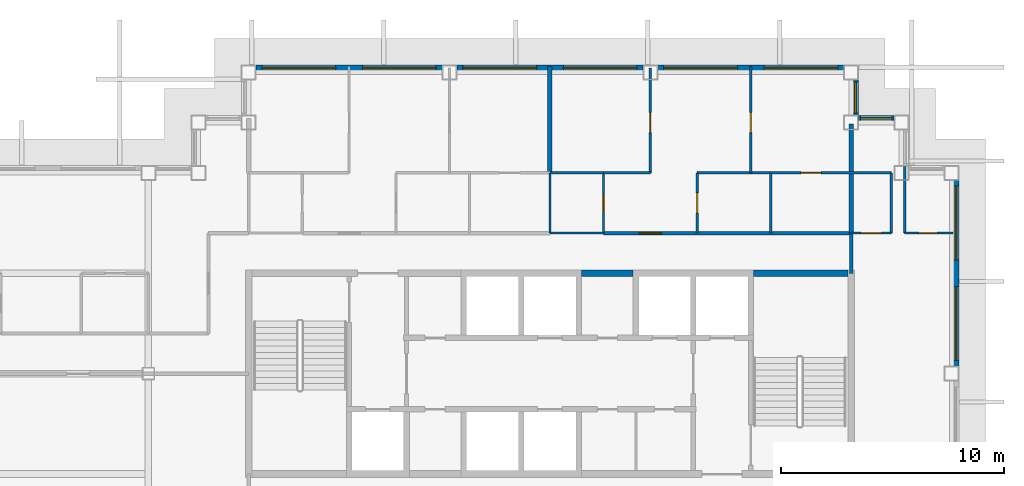
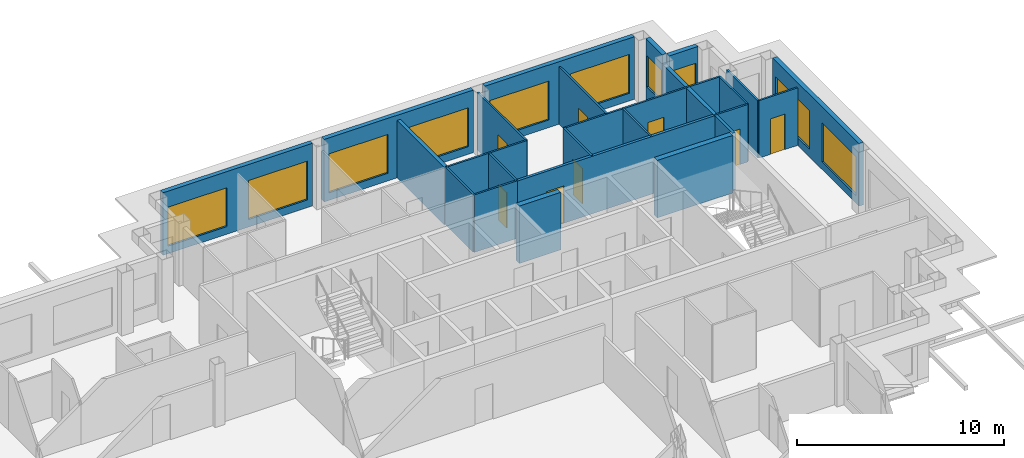
# One storey, part 7 of 12: 26 walls, 10 windows, 8 doors, 18 openings.
"""IFC4 building model written with IfcOpenShell, lengths in metres."""

from ifc_helpers import new_model, si_unit, direction, frame, frame_2d, origin, place, context, subcontext, project, spatial, rectangle, extrude, material, layer, layer_set, type_object, element, fill, save


model = new_model("IFC4")

# Units and contexts
model_context = context("Model", 3, precision=1e-05, world=origin(), true_north=direction((0.0, 1.0)))
body_context = subcontext(model_context, "Body", "Model", "MODEL_VIEW")
ifc_project = project(units=[si_unit("LENGTHUNIT", "METRE"), si_unit("AREAUNIT", "SQUARE_METRE"), si_unit("VOLUMEUNIT", "CUBIC_METRE"), si_unit("PLANEANGLEUNIT", "RADIAN"), si_unit("MASSUNIT", "GRAM", prefix="KILO")], contexts=[model_context])

# Site, building, storey
site_placement = place(None, origin())
site = spatial("IfcSite", under=ifc_project, at=site_placement, CompositionType="ELEMENT")
building_placement = place(site_placement, origin())
building = spatial("IfcBuilding", under=site, at=building_placement, Name="Caravel Reach Hotel and Residences", CompositionType="ELEMENT")
storey_placement = place(building_placement, frame((0.0, 0.0, 218.300048828125)))
storey = spatial("IfcBuildingStorey", under=building, at=storey_placement, Name="L55", CompositionType="ELEMENT", Elevation=218.300048828125)

# Wall
ifc_material_1 = material(Name="Gypsum board on steel stud", Category="steel")
ifc_layer_1 = layer(ifc_material_1, 0.10009765625)
ifc_layer_set_1 = layer_set([ifc_layer_1], Name="Bathroom pod wall 100 mm")
wall_type_1 = type_object("IfcWallType", Name="Bathroom pod wall 100 mm", PredefinedType="PARTITIONING", material=ifc_layer_set_1)
wall_1_placement = place(storey_placement, frame((31.5, 33.300048828125, 0.0), z_axis=(0.0, 0.0, 1.0), x_axis=(1.0, 0.0, 0.0)))
element("IfcWall", 1, at=wall_1_placement, inside=storey, type_object=wall_type_1, Name="L55 wall w082", PredefinedType="PARTITIONING", context=body_context, shape_type="SweptSolid", body=[
    extrude(rectangle(XDim=2.39990234375, YDim=0.10009765625, at=frame_2d((1.199951171875, 0.0))), origin(), (0.0, 0.0, 1.0), 3.39990234375),
])

# Wall, opening, door
wall_2_placement = place(storey_placement, frame((47.39990234375, 33.300048828125, 0.0), z_axis=(0.0, 0.0, 1.0), x_axis=(1.0, 0.0, 0.0)))
wall_2 = element("IfcWall", 2, at=wall_2_placement, inside=storey, type_object=wall_type_1, Name="L55 wall w083", PredefinedType="PARTITIONING", context=body_context, shape_type="SweptSolid", body=[
    extrude(rectangle(XDim=2.175048828125, YDim=0.10009765625, at=frame_2d((1.08740234375, 0.0))), origin(), (0.0, 0.0, 1.0), 3.39990234375),
])
opening_1_placement = place(wall_2_placement, frame((0.64990234375, 0.0, 0.0)))
opening_1 = element("IfcOpeningElement", 3, at=opening_1_placement, cuts=wall_2, Name="Opening D55-045", PredefinedType="OPENING", context=body_context, shape_type="SweptSolid", body=[
    extrude(rectangle(XDim=0.800048828125, YDim=2.10009765625, at=frame_2d((0.39990234375, 1.050048828125))), frame((0.0, 0.06005859375, 0.0), z_axis=(0.0, -1.0, 0.0), x_axis=(1.0, 0.0, 0.0)), (0.0, 0.0, 1.0), 0.1201171875),
])
ifc_material_2 = material(Name="Timber and steel door leaf", Category="steel")
door_type_1 = type_object("IfcDoorType", Name="Bathroom door 800 x 2100", OperationType="SINGLE_SWING_LEFT", PredefinedType="DOOR", material=ifc_material_2)
door_1_placement = place(opening_1_placement, origin())
door_1 = element("IfcDoor", 4, at=door_1_placement, inside=storey, type_object=door_type_1, Name="door D55-045", OperationType="SINGLE_SWING_LEFT", OverallHeight=2.10009765625, OverallWidth=0.800048828125, PredefinedType="DOOR", context=body_context, shape_type="SweptSolid", body=[
    extrude(rectangle(XDim=0.800048828125, YDim=2.10009765625, at=frame_2d((0.39990234375, 1.050048828125))), frame((0.0, 0.02490234375, 0.0), z_axis=(0.0, -1.0, 0.0), x_axis=(1.0, 0.0, 0.0)), (0.0, 0.0, 1.0), 0.050048828125),
])
fill(opening_1, door_1)

# Walls
wall_3_placement = place(storey_placement, frame((31.5, 36.0, 0.0), z_axis=(0.0, 0.0, 1.0), x_axis=(1.0, 0.0, 0.0)))
element("IfcWall", 5, at=wall_3_placement, inside=storey, type_object=wall_type_1, Name="L55 wall w085", PredefinedType="PARTITIONING", context=body_context, shape_type="SweptSolid", body=[
    extrude(rectangle(XDim=2.39990234375, YDim=0.10009765625, at=frame_2d((1.199951171875, 0.0))), origin(), (0.0, 0.0, 1.0), 3.39990234375),
])
wall_4_placement = place(storey_placement, frame((31.5, 33.300048828125, 0.0), z_axis=(0.0, 0.0, 1.0), x_axis=(0.0, 1.0, 0.0)))
element("IfcWall", 6, at=wall_4_placement, inside=storey, type_object=wall_type_1, Name="L55 wall w095", PredefinedType="PARTITIONING", context=body_context, shape_type="SweptSolid", body=[
    extrude(rectangle(XDim=2.699951171875, YDim=0.10009765625, at=frame_2d((1.35009765625, 0.0))), origin(), (0.0, 0.0, 1.0), 3.39990234375),
])

# Wall, opening, door
wall_5_placement = place(storey_placement, frame((33.89990234375, 33.300048828125, 0.0), z_axis=(0.0, 0.0, 1.0), x_axis=(0.0, 1.0, 0.0)))
wall_5 = element("IfcWall", 7, at=wall_5_placement, inside=storey, type_object=wall_type_1, Name="L55 wall w098", PredefinedType="PARTITIONING", context=body_context, shape_type="SweptSolid", body=[
    extrude(rectangle(XDim=2.699951171875, YDim=0.10009765625, at=frame_2d((1.35009765625, 0.0))), origin(), (0.0, 0.0, 1.0), 3.39990234375),
])
opening_2_placement = place(wall_5_placement, frame((0.949951171875, 0.0, 0.0)))
opening_2 = element("IfcOpeningElement", 8, at=opening_2_placement, cuts=wall_5, Name="Opening D55-024", PredefinedType="OPENING", context=body_context, shape_type="SweptSolid", body=[
    extrude(rectangle(XDim=0.800048828125, YDim=2.10009765625, at=frame_2d((0.39990234375, 1.050048828125))), frame((0.0, 0.06005859375, 0.0), z_axis=(0.0, -1.0, 0.0), x_axis=(1.0, 0.0, 0.0)), (0.0, 0.0, 1.0), 0.1201171875),
])
door_2_placement = place(opening_2_placement, origin())
door_2 = element("IfcDoor", 9, at=door_2_placement, inside=storey, type_object=door_type_1, Name="door D55-024", OperationType="SINGLE_SWING_LEFT", OverallHeight=2.10009765625, OverallWidth=0.800048828125, PredefinedType="DOOR", context=body_context, shape_type="SweptSolid", body=[
    extrude(rectangle(XDim=0.800048828125, YDim=2.10009765625, at=frame_2d((0.39990234375, 1.050048828125))), frame((0.0, 0.02490234375, 0.0), z_axis=(0.0, -1.0, 0.0), x_axis=(1.0, 0.0, 0.0)), (0.0, 0.0, 1.0), 0.050048828125),
])
fill(opening_2, door_2)

# Walls
wall_6_placement = place(storey_placement, frame((47.39990234375, 33.300048828125, 0.0), z_axis=(0.0, 0.0, 1.0), x_axis=(0.0, 1.0, 0.0)))
element("IfcWall", 10, at=wall_6_placement, inside=storey, type_object=wall_type_1, Name="L55 wall w103", PredefinedType="PARTITIONING", context=body_context, shape_type="SweptSolid", body=[
    extrude(rectangle(XDim=3.02490234375, YDim=0.10009765625, at=frame_2d((1.512451171875, 0.0))), origin(), (0.0, 0.0, 1.0), 3.39990234375),
])
ifc_material_3 = material(Name="Concrete C60", Category="concrete")
ifc_layer_2 = layer(ifc_material_3, 0.300048828125)
ifc_layer_set_2 = layer_set([ifc_layer_2], Name="Core wall 300 mm EI 120")
wall_type_2 = type_object("IfcWallType", Name="Core wall 300 mm EI 120", PredefinedType="SHEAR", material=ifc_layer_set_2)
wall_7_placement = place(storey_placement, frame((32.91064453125, 31.5, 0.0), z_axis=(0.0, 0.0, 1.0), x_axis=(1.0, 0.0, 0.0)))
element("IfcWall", 11, at=wall_7_placement, inside=storey, type_object=wall_type_2, Name="L55 core wall N2", PredefinedType="SHEAR", context=body_context, shape_type="SweptSolid", body=[
    extrude(rectangle(XDim=2.321533203125, YDim=0.300048828125, at=frame_2d((1.16064453125, 0.0))), origin(), (0.0, 0.0, 1.0), 3.39990234375),
])
wall_8_placement = place(storey_placement, frame((40.625, 31.5, 0.0), z_axis=(0.0, 0.0, 1.0), x_axis=(1.0, 0.0, 0.0)))
element("IfcWall", 12, at=wall_8_placement, inside=storey, type_object=wall_type_2, Name="L55 core wall N3", PredefinedType="SHEAR", context=body_context, shape_type="SweptSolid", body=[
    extrude(rectangle(XDim=4.22509765625, YDim=0.300048828125, at=frame_2d((2.112548828125, 0.0))), origin(), (0.0, 0.0, 1.0), 3.39990234375),
])

# Wall, opening, door
ifc_material_4 = material(Name="Gypsum board on steel stud, fire-rated", Category="steel")
ifc_layer_3 = layer(ifc_material_4, 0.14990234375)
ifc_layer_set_3 = layer_set([ifc_layer_3], Name="Corridor wall 150 mm EI 60")
wall_type_3 = type_object("IfcWallType", Name="Corridor wall 150 mm EI 60", PredefinedType="PARTITIONING", material=ifc_layer_set_3)
wall_9_placement = place(storey_placement, frame((33.89990234375, 33.300048828125, 0.0), z_axis=(0.0, 0.0, 1.0), x_axis=(1.0, 0.0, 0.0)))
wall_9 = element("IfcWall", 13, at=wall_9_placement, inside=storey, type_object=wall_type_3, Name="L55 wall w014", PredefinedType="PARTITIONING", context=body_context, shape_type="SweptSolid", body=[
    extrude(rectangle(XDim=11.10009765625, YDim=0.14990234375, at=frame_2d((5.550048828125, 0.0))), origin(), (0.0, 0.0, 1.0), 3.39990234375),
])
opening_3_placement = place(wall_9_placement, frame((1.60009765625, 0.0, 0.0)))
opening_3 = element("IfcOpeningElement", 14, at=opening_3_placement, cuts=wall_9, Name="Opening D55-023", PredefinedType="OPENING", context=body_context, shape_type="SweptSolid", body=[
    extrude(rectangle(XDim=1.0, YDim=2.199951171875, at=frame_2d((0.5, 1.10009765625))), frame((0.0, 0.0849609375, 0.0), z_axis=(0.0, -1.0, 0.0), x_axis=(1.0, 0.0, 0.0)), (0.0, 0.0, 1.0), 0.169921875),
])
ifc_material_5 = material(Name="Steel fire door leaf", Category="steel")
door_type_2 = type_object("IfcDoorType", Name="Flat entrance door 1000 x 2200 EI 60", OperationType="SINGLE_SWING_LEFT", PredefinedType="DOOR", material=ifc_material_5)
door_3_placement = place(opening_3_placement, origin())
door_3 = element("IfcDoor", 15, at=door_3_placement, inside=storey, type_object=door_type_2, Name="door D55-023", OperationType="SINGLE_SWING_LEFT", OverallHeight=2.199951171875, OverallWidth=1.0, PredefinedType="DOOR", context=body_context, shape_type="SweptSolid", body=[
    extrude(rectangle(XDim=1.0, YDim=2.199951171875, at=frame_2d((0.5, 1.10009765625))), frame((0.0, 0.02490234375, 0.0), z_axis=(0.0, -1.0, 0.0), x_axis=(1.0, 0.0, 0.0)), (0.0, 0.0, 1.0), 0.050048828125),
])
fill(opening_3, door_3)

# Wall
wall_10_placement = place(storey_placement, frame((45.0, 31.5, 0.0), z_axis=(0.0, 0.0, 1.0), x_axis=(0.0, 1.0, 0.0)))
element("IfcWall", 16, at=wall_10_placement, inside=storey, type_object=wall_type_3, Name="L55 wall w028", PredefinedType="PARTITIONING", context=body_context, shape_type="SweptSolid", body=[
    extrude(rectangle(XDim=1.800048828125, YDim=0.14990234375, at=frame_2d((0.89990234375, 0.0))), origin(), (0.0, 0.0, 1.0), 3.39990234375),
])

# Wall, openings, windows
ifc_material_6 = material(Name="Insulated rainscreen wall, aluminium cladding", Category="aluminium")
ifc_layer_4 = layer(ifc_material_6, 0.25)
ifc_layer_set_4 = layer_set([ifc_layer_4], Name="EW1 Tower rainscreen wall")
wall_type_4 = type_object("IfcWallType", Name="EW1 Tower rainscreen wall", PredefinedType="SOLIDWALL", material=ifc_layer_set_4)
wall_11_placement = place(storey_placement, frame((49.699951171875, 27.324951171875, 0.0), z_axis=(0.0, 0.0, 1.0), x_axis=(0.0, 1.0, 0.0)))
wall_11 = element("IfcWall", 17, at=wall_11_placement, inside=storey, type_object=wall_type_4, Name="External wall L55 E6.2", PredefinedType="SOLIDWALL", context=body_context, shape_type="SweptSolid", body=[
    extrude(rectangle(XDim=8.35009765625, YDim=0.25, at=frame_2d((4.175048828125, 0.0))), origin(), (0.0, 0.0, 1.0), 3.699951171875),
])
opening_4_placement = place(wall_11_placement, frame((0.27490234375, 0.0, 0.449951171875)))
opening_4 = element("IfcOpeningElement", 18, at=opening_4_placement, cuts=wall_11, Name="Opening WN15", PredefinedType="OPENING", context=body_context, shape_type="SweptSolid", body=[
    extrude(rectangle(XDim=3.300048828125, YDim=2.300048828125, at=frame_2d((1.64990234375, 1.14990234375))), frame((0.0, 0.135009765625, 0.0), z_axis=(0.0, -1.0, 0.0), x_axis=(1.0, 0.0, 0.0)), (0.0, 0.0, 1.0), 0.27001953125),
])
opening_5_placement = place(wall_11_placement, frame((4.77490234375, 0.0, 0.449951171875)))
opening_5 = element("IfcOpeningElement", 19, at=opening_5_placement, cuts=wall_11, Name="Opening WN15", PredefinedType="OPENING", context=body_context, shape_type="SweptSolid", body=[
    extrude(rectangle(XDim=3.300048828125, YDim=2.300048828125, at=frame_2d((1.64990234375, 1.14990234375))), frame((0.0, 0.135009765625, 0.0), z_axis=(0.0, -1.0, 0.0), x_axis=(1.0, 0.0, 0.0)), (0.0, 0.0, 1.0), 0.27001953125),
])
ifc_material_7 = material(Name="Dark low-e glazing in black aluminium frame", Category="aluminium")
window_type_1 = type_object("IfcWindowType", Name="Residence living window 3300 x 2300", PartitioningType="SINGLE_PANEL", PredefinedType="WINDOW", material=ifc_material_7)
window_1_placement = place(opening_4_placement, origin())
window_1 = element("IfcWindow", 20, at=window_1_placement, inside=storey, type_object=window_type_1, Name="Window L55 E6.2.1", OverallHeight=2.300048828125, OverallWidth=3.300048828125, PartitioningType="SINGLE_PANEL", PredefinedType="WINDOW", context=body_context, shape_type="SweptSolid", body=[
    extrude(rectangle(XDim=3.300048828125, YDim=2.300048828125, at=frame_2d((1.64990234375, 1.14990234375))), frame((0.0, 0.030029296875, 0.0), z_axis=(0.0, -1.0, 0.0), x_axis=(1.0, 0.0, 0.0)), (0.0, 0.0, 1.0), 0.06005859375),
])
fill(opening_4, window_1)
window_2_placement = place(opening_5_placement, origin())
window_2 = element("IfcWindow", 21, at=window_2_placement, inside=storey, type_object=window_type_1, Name="Window L55 E6.2.2", OverallHeight=2.300048828125, OverallWidth=3.300048828125, PartitioningType="SINGLE_PANEL", PredefinedType="WINDOW", context=body_context, shape_type="SweptSolid", body=[
    extrude(rectangle(XDim=3.300048828125, YDim=2.300048828125, at=frame_2d((1.64990234375, 1.14990234375))), frame((0.0, 0.030029296875, 0.0), z_axis=(0.0, -1.0, 0.0), x_axis=(1.0, 0.0, 0.0)), (0.0, 0.0, 1.0), 0.06005859375),
])
fill(opening_5, window_2)

# Wall, opening, window
wall_12_placement = place(storey_placement, frame((46.925048828125, 38.449951171875, 0.0), z_axis=(0.0, 0.0, 1.0), x_axis=(-1.0, 0.0, 0.0)))
wall_12 = element("IfcWall", 22, at=wall_12_placement, inside=storey, type_object=wall_type_4, Name="External wall L55 N9.1", PredefinedType="SOLIDWALL", context=body_context, shape_type="SweptSolid", body=[
    extrude(rectangle(XDim=1.60009765625, YDim=0.25, at=frame_2d((0.800048828125, 0.0))), origin(), (0.0, 0.0, 1.0), 3.699951171875),
])
opening_6_placement = place(wall_12_placement, frame((0.10009765625, 0.0, 0.89990234375)))
opening_6 = element("IfcOpeningElement", 23, at=opening_6_placement, cuts=wall_12, Name="Opening WN22", PredefinedType="OPENING", context=body_context, shape_type="SweptSolid", body=[
    extrude(rectangle(XDim=1.39990234375, YDim=1.85009765625, at=frame_2d((0.699951171875, 0.925048828125))), frame((0.0, 0.135009765625, 0.0), z_axis=(0.0, -1.0, 0.0), x_axis=(1.0, 0.0, 0.0)), (0.0, 0.0, 1.0), 0.27001953125),
])
ifc_material_8 = material(Name="Dark low-e glazing in black aluminium frame", Category="aluminium")
window_type_2 = type_object("IfcWindowType", Name="Residence bedroom window 1400 x 1850", PartitioningType="SINGLE_PANEL", PredefinedType="WINDOW", material=ifc_material_8)
window_3_placement = place(opening_6_placement, origin())
window_3 = element("IfcWindow", 24, at=window_3_placement, inside=storey, type_object=window_type_2, Name="Window L55 N9.1.1", OverallHeight=1.85009765625, OverallWidth=1.39990234375, PartitioningType="SINGLE_PANEL", PredefinedType="WINDOW", context=body_context, shape_type="SweptSolid", body=[
    extrude(rectangle(XDim=1.39990234375, YDim=1.85009765625, at=frame_2d((0.699951171875, 0.925048828125))), frame((0.0, 0.030029296875, 0.0), z_axis=(0.0, -1.0, 0.0), x_axis=(1.0, 0.0, 0.0)), (0.0, 0.0, 1.0), 0.06005859375),
])
fill(opening_6, window_3)

wall_13_placement = place(storey_placement, frame((45.199951171875, 38.574951171875, 0.0), z_axis=(0.0, 0.0, 1.0), x_axis=(0.0, 1.0, 0.0)))
wall_13 = element("IfcWall", 25, at=wall_13_placement, inside=storey, type_object=wall_type_4, Name="External wall L55 E10.1", PredefinedType="SOLIDWALL", context=body_context, shape_type="SweptSolid", body=[
    extrude(rectangle(XDim=1.60009765625, YDim=0.25, at=frame_2d((0.800048828125, 0.0))), origin(), (0.0, 0.0, 1.0), 3.699951171875),
])
opening_7_placement = place(wall_13_placement, frame((0.10009765625, 0.0, 0.89990234375)))
opening_7 = element("IfcOpeningElement", 26, at=opening_7_placement, cuts=wall_13, Name="Opening WN22", PredefinedType="OPENING", context=body_context, shape_type="SweptSolid", body=[
    extrude(rectangle(XDim=1.39990234375, YDim=1.85009765625, at=frame_2d((0.699951171875, 0.925048828125))), frame((0.0, 0.135009765625, 0.0), z_axis=(0.0, -1.0, 0.0), x_axis=(1.0, 0.0, 0.0)), (0.0, 0.0, 1.0), 0.27001953125),
])
window_4_placement = place(opening_7_placement, origin())
window_4 = element("IfcWindow", 27, at=window_4_placement, inside=storey, type_object=window_type_2, Name="Window L55 E10.1.1", OverallHeight=1.85009765625, OverallWidth=1.39990234375, PartitioningType="SINGLE_PANEL", PredefinedType="WINDOW", context=body_context, shape_type="SweptSolid", body=[
    extrude(rectangle(XDim=1.39990234375, YDim=1.85009765625, at=frame_2d((0.699951171875, 0.925048828125))), frame((0.0, 0.030029296875, 0.0), z_axis=(0.0, -1.0, 0.0), x_axis=(1.0, 0.0, 0.0)), (0.0, 0.0, 1.0), 0.06005859375),
])
fill(opening_7, window_4)

# Wall, openings, windows
wall_14_placement = place(storey_placement, frame((44.675048828125, 40.699951171875, 0.0), z_axis=(0.0, 0.0, 1.0), x_axis=(-1.0, 0.0, 0.0)))
wall_14 = element("IfcWall", 28, at=wall_14_placement, inside=storey, type_object=wall_type_4, Name="External wall L55 N11.1", PredefinedType="SOLIDWALL", context=body_context, shape_type="SweptSolid", body=[
    extrude(rectangle(XDim=8.35009765625, YDim=0.25, at=frame_2d((4.175048828125, 0.0))), origin(), (0.0, 0.0, 1.0), 3.699951171875),
])
opening_8_placement = place(wall_14_placement, frame((0.27490234375, 0.0, 0.449951171875)))
opening_8 = element("IfcOpeningElement", 29, at=opening_8_placement, cuts=wall_14, Name="Opening WN15", PredefinedType="OPENING", context=body_context, shape_type="SweptSolid", body=[
    extrude(rectangle(XDim=3.300048828125, YDim=2.300048828125, at=frame_2d((1.64990234375, 1.14990234375))), frame((0.0, 0.135009765625, 0.0), z_axis=(0.0, -1.0, 0.0), x_axis=(1.0, 0.0, 0.0)), (0.0, 0.0, 1.0), 0.27001953125),
])
opening_9_placement = place(wall_14_placement, frame((4.77490234375, 0.0, 0.449951171875)))
opening_9 = element("IfcOpeningElement", 30, at=opening_9_placement, cuts=wall_14, Name="Opening WN15", PredefinedType="OPENING", context=body_context, shape_type="SweptSolid", body=[
    extrude(rectangle(XDim=3.300048828125, YDim=2.300048828125, at=frame_2d((1.64990234375, 1.14990234375))), frame((0.0, 0.135009765625, 0.0), z_axis=(0.0, -1.0, 0.0), x_axis=(1.0, 0.0, 0.0)), (0.0, 0.0, 1.0), 0.27001953125),
])
window_5_placement = place(opening_8_placement, origin())
window_5 = element("IfcWindow", 31, at=window_5_placement, inside=storey, type_object=window_type_1, Name="Window L55 N11.1.1", OverallHeight=2.300048828125, OverallWidth=3.300048828125, PartitioningType="SINGLE_PANEL", PredefinedType="WINDOW", context=body_context, shape_type="SweptSolid", body=[
    extrude(rectangle(XDim=3.300048828125, YDim=2.300048828125, at=frame_2d((1.64990234375, 1.14990234375))), frame((0.0, 0.030029296875, 0.0), z_axis=(0.0, -1.0, 0.0), x_axis=(1.0, 0.0, 0.0)), (0.0, 0.0, 1.0), 0.06005859375),
])
fill(opening_8, window_5)
window_6_placement = place(opening_9_placement, origin())
window_6 = element("IfcWindow", 32, at=window_6_placement, inside=storey, type_object=window_type_1, Name="Window L55 N11.1.2", OverallHeight=2.300048828125, OverallWidth=3.300048828125, PartitioningType="SINGLE_PANEL", PredefinedType="WINDOW", context=body_context, shape_type="SweptSolid", body=[
    extrude(rectangle(XDim=3.300048828125, YDim=2.300048828125, at=frame_2d((1.64990234375, 1.14990234375))), frame((0.0, 0.030029296875, 0.0), z_axis=(0.0, -1.0, 0.0), x_axis=(1.0, 0.0, 0.0)), (0.0, 0.0, 1.0), 0.06005859375),
])
fill(opening_9, window_6)

wall_15_placement = place(storey_placement, frame((35.675048828125, 40.699951171875, 0.0), z_axis=(0.0, 0.0, 1.0), x_axis=(-1.0, 0.0, 0.0)))
wall_15 = element("IfcWall", 33, at=wall_15_placement, inside=storey, type_object=wall_type_4, Name="External wall L55 N11.2", PredefinedType="SOLIDWALL", context=body_context, shape_type="SweptSolid", body=[
    extrude(rectangle(XDim=8.35009765625, YDim=0.25, at=frame_2d((4.175048828125, 0.0))), origin(), (0.0, 0.0, 1.0), 3.699951171875),
])
opening_10_placement = place(wall_15_placement, frame((0.27490234375, 0.0, 0.449951171875)))
opening_10 = element("IfcOpeningElement", 34, at=opening_10_placement, cuts=wall_15, Name="Opening WN15", PredefinedType="OPENING", context=body_context, shape_type="SweptSolid", body=[
    extrude(rectangle(XDim=3.300048828125, YDim=2.300048828125, at=frame_2d((1.64990234375, 1.14990234375))), frame((0.0, 0.135009765625, 0.0), z_axis=(0.0, -1.0, 0.0), x_axis=(1.0, 0.0, 0.0)), (0.0, 0.0, 1.0), 0.27001953125),
])
opening_11_placement = place(wall_15_placement, frame((4.77490234375, 0.0, 0.449951171875)))
opening_11 = element("IfcOpeningElement", 35, at=opening_11_placement, cuts=wall_15, Name="Opening WN15", PredefinedType="OPENING", context=body_context, shape_type="SweptSolid", body=[
    extrude(rectangle(XDim=3.300048828125, YDim=2.300048828125, at=frame_2d((1.64990234375, 1.14990234375))), frame((0.0, 0.135009765625, 0.0), z_axis=(0.0, -1.0, 0.0), x_axis=(1.0, 0.0, 0.0)), (0.0, 0.0, 1.0), 0.27001953125),
])
window_7_placement = place(opening_10_placement, origin())
window_7 = element("IfcWindow", 36, at=window_7_placement, inside=storey, type_object=window_type_1, Name="Window L55 N11.2.1", OverallHeight=2.300048828125, OverallWidth=3.300048828125, PartitioningType="SINGLE_PANEL", PredefinedType="WINDOW", context=body_context, shape_type="SweptSolid", body=[
    extrude(rectangle(XDim=3.300048828125, YDim=2.300048828125, at=frame_2d((1.64990234375, 1.14990234375))), frame((0.0, 0.030029296875, 0.0), z_axis=(0.0, -1.0, 0.0), x_axis=(1.0, 0.0, 0.0)), (0.0, 0.0, 1.0), 0.06005859375),
])
fill(opening_10, window_7)
window_8_placement = place(opening_11_placement, origin())
window_8 = element("IfcWindow", 37, at=window_8_placement, inside=storey, type_object=window_type_1, Name="Window L55 N11.2.2", OverallHeight=2.300048828125, OverallWidth=3.300048828125, PartitioningType="SINGLE_PANEL", PredefinedType="WINDOW", context=body_context, shape_type="SweptSolid", body=[
    extrude(rectangle(XDim=3.300048828125, YDim=2.300048828125, at=frame_2d((1.64990234375, 1.14990234375))), frame((0.0, 0.030029296875, 0.0), z_axis=(0.0, -1.0, 0.0), x_axis=(1.0, 0.0, 0.0)), (0.0, 0.0, 1.0), 0.06005859375),
])
fill(opening_11, window_8)

wall_16_placement = place(storey_placement, frame((26.675048828125, 40.699951171875, 0.0), z_axis=(0.0, 0.0, 1.0), x_axis=(-1.0, 0.0, 0.0)))
wall_16 = element("IfcWall", 38, at=wall_16_placement, inside=storey, type_object=wall_type_4, Name="External wall L55 N11.3", PredefinedType="SOLIDWALL", context=body_context, shape_type="SweptSolid", body=[
    extrude(rectangle(XDim=8.35009765625, YDim=0.25, at=frame_2d((4.175048828125, 0.0))), origin(), (0.0, 0.0, 1.0), 3.699951171875),
])
opening_12_placement = place(wall_16_placement, frame((0.27490234375, 0.0, 0.449951171875)))
opening_12 = element("IfcOpeningElement", 39, at=opening_12_placement, cuts=wall_16, Name="Opening WN15", PredefinedType="OPENING", context=body_context, shape_type="SweptSolid", body=[
    extrude(rectangle(XDim=3.300048828125, YDim=2.300048828125, at=frame_2d((1.64990234375, 1.14990234375))), frame((0.0, 0.135009765625, 0.0), z_axis=(0.0, -1.0, 0.0), x_axis=(1.0, 0.0, 0.0)), (0.0, 0.0, 1.0), 0.27001953125),
])
opening_13_placement = place(wall_16_placement, frame((4.77490234375, 0.0, 0.449951171875)))
opening_13 = element("IfcOpeningElement", 40, at=opening_13_placement, cuts=wall_16, Name="Opening WN15", PredefinedType="OPENING", context=body_context, shape_type="SweptSolid", body=[
    extrude(rectangle(XDim=3.300048828125, YDim=2.300048828125, at=frame_2d((1.64990234375, 1.14990234375))), frame((0.0, 0.135009765625, 0.0), z_axis=(0.0, -1.0, 0.0), x_axis=(1.0, 0.0, 0.0)), (0.0, 0.0, 1.0), 0.27001953125),
])
window_9_placement = place(opening_12_placement, origin())
window_9 = element("IfcWindow", 41, at=window_9_placement, inside=storey, type_object=window_type_1, Name="Window L55 N11.3.1", OverallHeight=2.300048828125, OverallWidth=3.300048828125, PartitioningType="SINGLE_PANEL", PredefinedType="WINDOW", context=body_context, shape_type="SweptSolid", body=[
    extrude(rectangle(XDim=3.300048828125, YDim=2.300048828125, at=frame_2d((1.64990234375, 1.14990234375))), frame((0.0, 0.030029296875, 0.0), z_axis=(0.0, -1.0, 0.0), x_axis=(1.0, 0.0, 0.0)), (0.0, 0.0, 1.0), 0.06005859375),
])
fill(opening_12, window_9)
window_10_placement = place(opening_13_placement, origin())
window_10 = element("IfcWindow", 42, at=window_10_placement, inside=storey, type_object=window_type_1, Name="Window L55 N11.3.2", OverallHeight=2.300048828125, OverallWidth=3.300048828125, PartitioningType="SINGLE_PANEL", PredefinedType="WINDOW", context=body_context, shape_type="SweptSolid", body=[
    extrude(rectangle(XDim=3.300048828125, YDim=2.300048828125, at=frame_2d((1.64990234375, 1.14990234375))), frame((0.0, 0.030029296875, 0.0), z_axis=(0.0, -1.0, 0.0), x_axis=(1.0, 0.0, 0.0)), (0.0, 0.0, 1.0), 0.06005859375),
])
fill(opening_13, window_10)

# Wall, opening, door
ifc_material_9 = material(Name="Gypsum board on steel stud", Category="steel")
ifc_layer_5 = layer(ifc_material_9, 0.10009765625)
ifc_layer_set_5 = layer_set([ifc_layer_5], Name="Partition 100 mm")
wall_type_5 = type_object("IfcWallType", Name="Partition 100 mm", PredefinedType="PARTITIONING", material=ifc_layer_set_5)
wall_17_placement = place(storey_placement, frame((45.0, 33.300048828125, 0.0), z_axis=(0.0, 0.0, 1.0), x_axis=(1.0, 0.0, 0.0)))
wall_17 = element("IfcWall", 43, at=wall_17_placement, inside=storey, type_object=wall_type_5, Name="L55 wall w037", PredefinedType="PARTITIONING", context=body_context, shape_type="SweptSolid", body=[
    extrude(rectangle(XDim=1.800048828125, YDim=0.10009765625, at=frame_2d((0.89990234375, 0.0))), origin(), (0.0, 0.0, 1.0), 3.39990234375),
])
opening_14_placement = place(wall_17_placement, frame((0.449951171875, 0.0, 0.0)))
opening_14 = element("IfcOpeningElement", 44, at=opening_14_placement, cuts=wall_17, Name="Opening D55-046", PredefinedType="OPENING", context=body_context, shape_type="SweptSolid", body=[
    extrude(rectangle(XDim=0.89990234375, YDim=2.10009765625, at=frame_2d((0.449951171875, 1.050048828125))), frame((0.0, 0.06005859375, 0.0), z_axis=(0.0, -1.0, 0.0), x_axis=(1.0, 0.0, 0.0)), (0.0, 0.0, 1.0), 0.1201171875),
])
ifc_material_10 = material(Name="Timber and steel door leaf", Category="steel")
door_type_3 = type_object("IfcDoorType", Name="Door 900 x 2100 timber", OperationType="SINGLE_SWING_LEFT", PredefinedType="DOOR", material=ifc_material_10)
door_4_placement = place(opening_14_placement, origin())
door_4 = element("IfcDoor", 45, at=door_4_placement, inside=storey, type_object=door_type_3, Name="door D55-046", OperationType="SINGLE_SWING_RIGHT", OverallHeight=2.10009765625, OverallWidth=0.89990234375, PredefinedType="DOOR", context=body_context, shape_type="SweptSolid", body=[
    extrude(rectangle(XDim=0.89990234375, YDim=2.10009765625, at=frame_2d((0.449951171875, 1.050048828125))), frame((0.0, 0.02490234375, 0.0), z_axis=(0.0, -1.0, 0.0), x_axis=(1.0, 0.0, 0.0)), (0.0, 0.0, 1.0), 0.050048828125),
])
fill(opening_14, door_4)

# Wall
wall_18_placement = place(storey_placement, frame((33.89990234375, 36.0, 0.0), z_axis=(0.0, 0.0, 1.0), x_axis=(1.0, 0.0, 0.0)))
element("IfcWall", 46, at=wall_18_placement, inside=storey, type_object=wall_type_5, Name="L55 wall w042", PredefinedType="PARTITIONING", context=body_context, shape_type="SweptSolid", body=[
    extrude(rectangle(XDim=2.10009765625, YDim=0.10009765625, at=frame_2d((1.050048828125, 0.0))), origin(), (0.0, 0.0, 1.0), 3.39990234375),
])

# Wall, opening, door
wall_19_placement = place(storey_placement, frame((38.10009765625, 36.0, 0.0), z_axis=(0.0, 0.0, 1.0), x_axis=(1.0, 0.0, 0.0)))
wall_19 = element("IfcWall", 47, at=wall_19_placement, inside=storey, type_object=wall_type_5, Name="L55 wall w044", PredefinedType="PARTITIONING", context=body_context, shape_type="SweptSolid", body=[
    extrude(rectangle(XDim=8.699951171875, YDim=0.10009765625, at=frame_2d((4.35009765625, 0.0))), origin(), (0.0, 0.0, 1.0), 3.39990234375),
])
opening_15_placement = place(wall_19_placement, frame((4.650146484375, 0.0, 0.0)))
opening_15 = element("IfcOpeningElement", 48, at=opening_15_placement, cuts=wall_19, Name="Opening D55-026", PredefinedType="OPENING", context=body_context, shape_type="SweptSolid", body=[
    extrude(rectangle(XDim=0.89990234375, YDim=2.10009765625, at=frame_2d((0.449951171875, 1.050048828125))), frame((0.0, 0.06005859375, 0.0), z_axis=(0.0, -1.0, 0.0), x_axis=(1.0, 0.0, 0.0)), (0.0, 0.0, 1.0), 0.1201171875),
])
door_5_placement = place(opening_15_placement, origin())
door_5 = element("IfcDoor", 49, at=door_5_placement, inside=storey, type_object=door_type_3, Name="door D55-026", OperationType="SINGLE_SWING_LEFT", OverallHeight=2.10009765625, OverallWidth=0.89990234375, PredefinedType="DOOR", context=body_context, shape_type="SweptSolid", body=[
    extrude(rectangle(XDim=0.89990234375, YDim=2.10009765625, at=frame_2d((0.449951171875, 1.050048828125))), frame((0.0, 0.02490234375, 0.0), z_axis=(0.0, -1.0, 0.0), x_axis=(1.0, 0.0, 0.0)), (0.0, 0.0, 1.0), 0.050048828125),
])
fill(opening_15, door_5)

wall_20_placement = place(storey_placement, frame((36.0, 36.0, 0.0), z_axis=(0.0, 0.0, 1.0), x_axis=(0.0, 1.0, 0.0)))
wall_20 = element("IfcWall", 50, at=wall_20_placement, inside=storey, type_object=wall_type_5, Name="L55 wall w057", PredefinedType="PARTITIONING", context=body_context, shape_type="SweptSolid", body=[
    extrude(rectangle(XDim=4.68994140625, YDim=0.10009765625, at=frame_2d((2.344970703125, 0.0))), origin(), (0.0, 0.0, 1.0), 3.39990234375),
])
opening_16_placement = place(wall_20_placement, frame((1.800048828125, 0.0, 0.0)))
opening_16 = element("IfcOpeningElement", 51, at=opening_16_placement, cuts=wall_20, Name="Opening D55-027", PredefinedType="OPENING", context=body_context, shape_type="SweptSolid", body=[
    extrude(rectangle(XDim=0.89990234375, YDim=2.10009765625, at=frame_2d((0.449951171875, 1.050048828125))), frame((0.0, 0.06005859375, 0.0), z_axis=(0.0, -1.0, 0.0), x_axis=(1.0, 0.0, 0.0)), (0.0, 0.0, 1.0), 0.1201171875),
])
door_6_placement = place(opening_16_placement, origin())
door_6 = element("IfcDoor", 52, at=door_6_placement, inside=storey, type_object=door_type_3, Name="door D55-027", OperationType="SINGLE_SWING_LEFT", OverallHeight=2.10009765625, OverallWidth=0.89990234375, PredefinedType="DOOR", context=body_context, shape_type="SweptSolid", body=[
    extrude(rectangle(XDim=0.89990234375, YDim=2.10009765625, at=frame_2d((0.449951171875, 1.050048828125))), frame((0.0, 0.02490234375, 0.0), z_axis=(0.0, -1.0, 0.0), x_axis=(1.0, 0.0, 0.0)), (0.0, 0.0, 1.0), 0.050048828125),
])
fill(opening_16, door_6)

wall_21_placement = place(storey_placement, frame((38.10009765625, 33.300048828125, 0.0), z_axis=(0.0, 0.0, 1.0), x_axis=(0.0, 1.0, 0.0)))
wall_21 = element("IfcWall", 53, at=wall_21_placement, inside=storey, type_object=wall_type_5, Name="L55 wall w060", PredefinedType="PARTITIONING", context=body_context, shape_type="SweptSolid", body=[
    extrude(rectangle(XDim=2.699951171875, YDim=0.10009765625, at=frame_2d((1.35009765625, 0.0))), origin(), (0.0, 0.0, 1.0), 3.39990234375),
])
opening_17_placement = place(wall_21_placement, frame((0.89990234375, 0.0, 0.0)))
opening_17 = element("IfcOpeningElement", 54, at=opening_17_placement, cuts=wall_21, Name="Opening D55-025", PredefinedType="OPENING", context=body_context, shape_type="SweptSolid", body=[
    extrude(rectangle(XDim=0.89990234375, YDim=2.10009765625, at=frame_2d((0.449951171875, 1.050048828125))), frame((0.0, 0.06005859375, 0.0), z_axis=(0.0, -1.0, 0.0), x_axis=(1.0, 0.0, 0.0)), (0.0, 0.0, 1.0), 0.1201171875),
])
door_7_placement = place(opening_17_placement, origin())
door_7 = element("IfcDoor", 55, at=door_7_placement, inside=storey, type_object=door_type_3, Name="door D55-025", OperationType="SINGLE_SWING_LEFT", OverallHeight=2.10009765625, OverallWidth=0.89990234375, PredefinedType="DOOR", context=body_context, shape_type="SweptSolid", body=[
    extrude(rectangle(XDim=0.89990234375, YDim=2.10009765625, at=frame_2d((0.449951171875, 1.050048828125))), frame((0.0, 0.02490234375, 0.0), z_axis=(0.0, -1.0, 0.0), x_axis=(1.0, 0.0, 0.0)), (0.0, 0.0, 1.0), 0.050048828125),
])
fill(opening_17, door_7)

wall_22_placement = place(storey_placement, frame((40.5, 36.0, 0.0), z_axis=(0.0, 0.0, 1.0), x_axis=(0.0, 1.0, 0.0)))
wall_22 = element("IfcWall", 56, at=wall_22_placement, inside=storey, type_object=wall_type_5, Name="L55 wall w063", PredefinedType="PARTITIONING", context=body_context, shape_type="SweptSolid", body=[
    extrude(rectangle(XDim=4.764892578125, YDim=0.10009765625, at=frame_2d((2.38232421875, 0.0))), origin(), (0.0, 0.0, 1.0), 3.39990234375),
])
opening_18_placement = place(wall_22_placement, frame((1.800048828125, 0.0, 0.0)))
opening_18 = element("IfcOpeningElement", 57, at=opening_18_placement, cuts=wall_22, Name="Opening D55-028", PredefinedType="OPENING", context=body_context, shape_type="SweptSolid", body=[
    extrude(rectangle(XDim=0.89990234375, YDim=2.10009765625, at=frame_2d((0.449951171875, 1.050048828125))), frame((0.0, 0.06005859375, 0.0), z_axis=(0.0, -1.0, 0.0), x_axis=(1.0, 0.0, 0.0)), (0.0, 0.0, 1.0), 0.1201171875),
])
door_8_placement = place(opening_18_placement, origin())
door_8 = element("IfcDoor", 58, at=door_8_placement, inside=storey, type_object=door_type_3, Name="door D55-028", OperationType="SINGLE_SWING_RIGHT", OverallHeight=2.10009765625, OverallWidth=0.89990234375, PredefinedType="DOOR", context=body_context, shape_type="SweptSolid", body=[
    extrude(rectangle(XDim=0.89990234375, YDim=2.10009765625, at=frame_2d((0.449951171875, 1.050048828125))), frame((0.0, 0.02490234375, 0.0), z_axis=(0.0, -1.0, 0.0), x_axis=(1.0, 0.0, 0.0)), (0.0, 0.0, 1.0), 0.050048828125),
])
fill(opening_18, door_8)

# Walls
for number, where, z_axis, x_axis, name in (
    (59, (41.39990234375, 33.300048828125, 0.0), (0.0, 0.0, 1.0), (0.0, 1.0, 0.0), "L55 wall w064"),
    (60, (46.800048828125, 33.300048828125, 0.0), (0.0, 0.0, 1.0), (0.0, 1.0, 0.0), "L55 wall w067"),
):
    element("IfcWall", number, at=place(storey_placement, frame(where, z_axis=z_axis, x_axis=x_axis)), inside=storey, type_object=wall_type_5, Name=name, PredefinedType="PARTITIONING", context=body_context, shape_type="SweptSolid", body=[
        extrude(rectangle(XDim=2.699951171875, YDim=0.10009765625, at=frame_2d((1.35009765625, 0.0))), origin(), (0.0, 0.0, 1.0), 3.39990234375),
    ])
ifc_material_11 = material(Name="Autoclaved aerated block wall")
ifc_layer_6 = layer(ifc_material_11, 0.199951171875)
ifc_layer_set_6 = layer_set([ifc_layer_6], Name="Party wall 200 mm EI 60")
wall_type_6 = type_object("IfcWallType", Name="Party wall 200 mm EI 60", PredefinedType="PARTITIONING", material=ifc_layer_set_6)
wall_23_placement = place(storey_placement, frame((31.5, 36.0, 0.0), z_axis=(0.0, 0.0, 1.0), x_axis=(0.0, 1.0, 0.0)))
element("IfcWall", 61, at=wall_23_placement, inside=storey, type_object=wall_type_6, Name="L55 wall w073", PredefinedType="PARTITIONING", context=body_context, shape_type="SweptSolid", body=[
    extrude(rectangle(XDim=4.764892578125, YDim=0.199951171875, at=frame_2d((2.38232421875, 0.0))), origin(), (0.0, 0.0, 1.0), 3.39990234375),
])
wall_24_placement = place(storey_placement, frame((45.0, 33.300048828125, 0.0), z_axis=(0.0, 0.0, 1.0), x_axis=(0.0, 1.0, 0.0)))
element("IfcWall", 62, at=wall_24_placement, inside=storey, type_object=wall_type_6, Name="L55 wall w075", PredefinedType="PARTITIONING", context=body_context, shape_type="SweptSolid", body=[
    extrude(rectangle(XDim=4.89990234375, YDim=0.199951171875, at=frame_2d((2.449951171875, 0.0))), origin(), (0.0, 0.0, 1.0), 3.39990234375),
])

save(model, "model.ifc")
